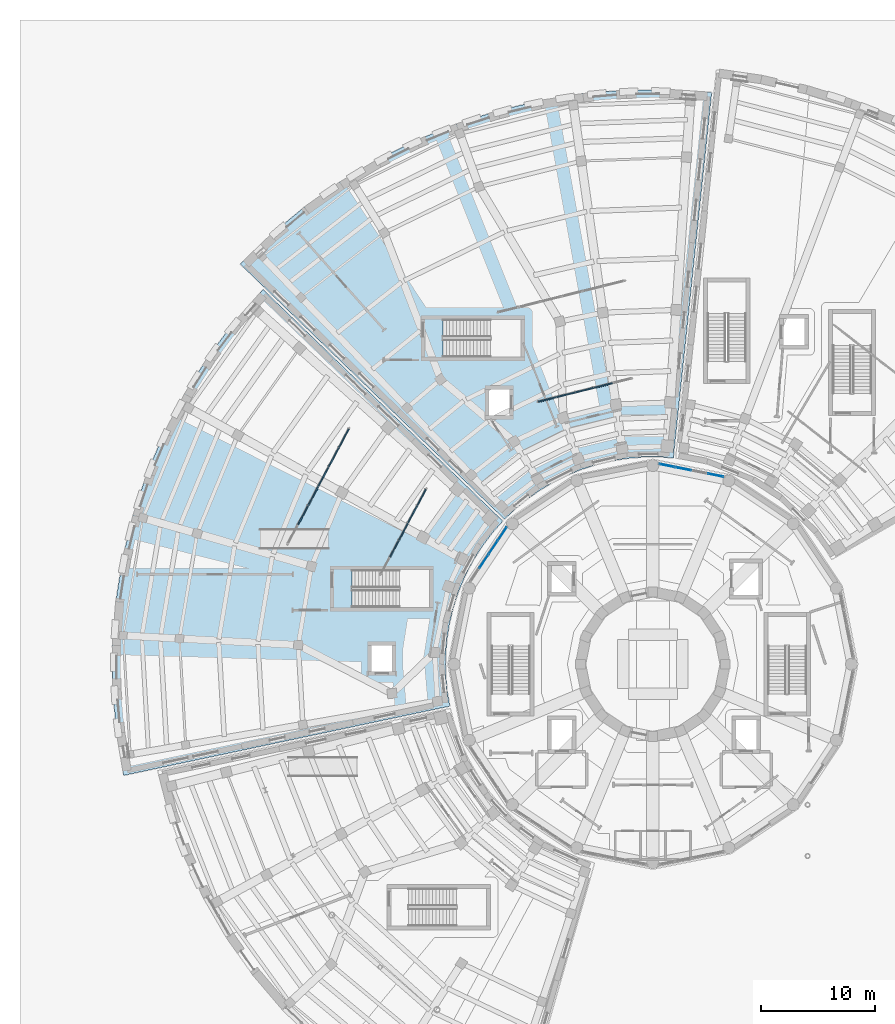
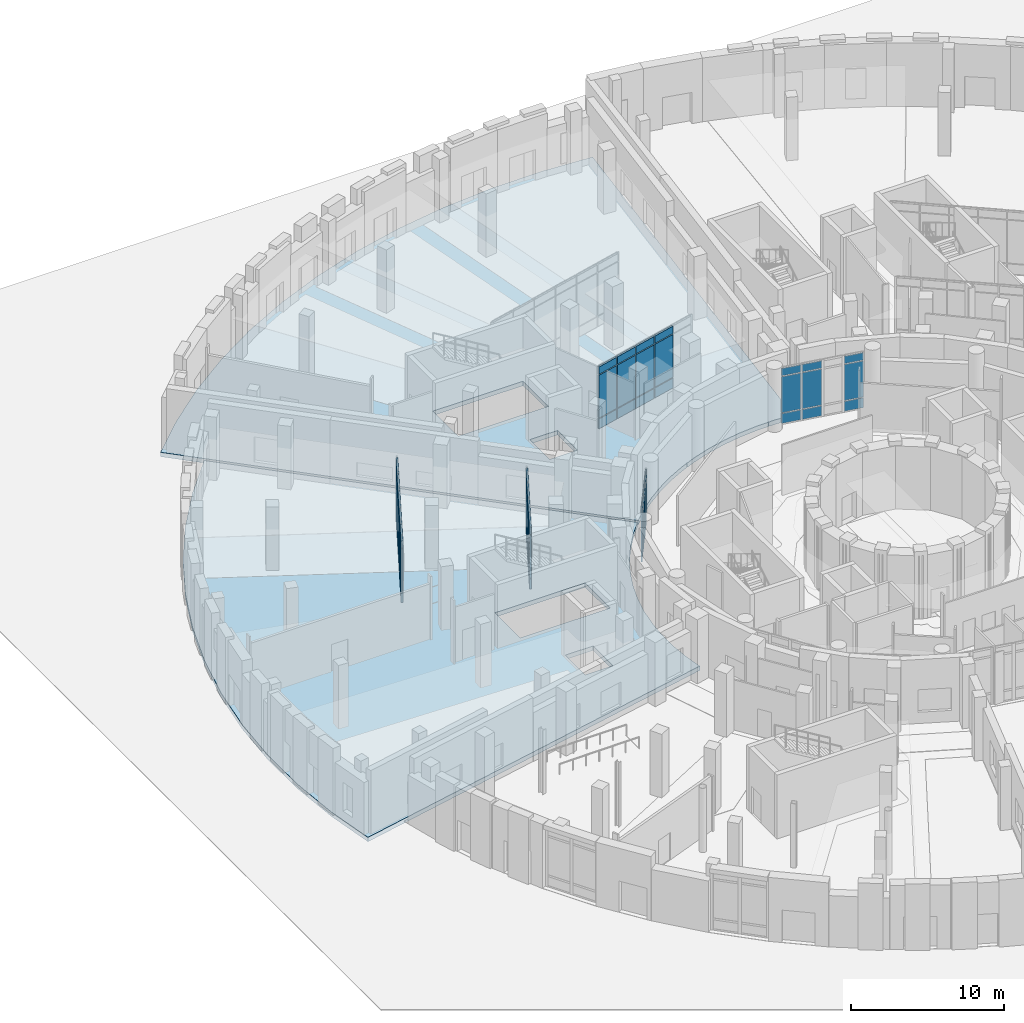
# One storey, part 37 of 74: 57 plates, 2 slabs, 5 elements without a shape of their own.
"""IFC4 building model written with IfcOpenShell, lengths in metres."""

from ifc_helpers import new_model, si_unit, direction, frame, origin, origin_2d, place, context, subcontext, project, spatial, polyline, rectangle, outline, extrude, material, layer, layer_set, type_object, element, aggregate, save


model = new_model("IFC4")

# Units and contexts
model_context = context("Model", 3, precision=1e-05, world=origin(), true_north=direction((0.0, 1.0)))
body_context = subcontext(model_context, "Body", "Model", "MODEL_VIEW")
ifc_project = project(units=[si_unit("LENGTHUNIT", "METRE"), si_unit("AREAUNIT", "SQUARE_METRE"), si_unit("VOLUMEUNIT", "CUBIC_METRE"), si_unit("PLANEANGLEUNIT", "RADIAN"), si_unit("MASSUNIT", "GRAM", prefix="KILO")], contexts=[model_context])

# Site, building, storey
site_placement = place(None, origin())
site = spatial("IfcSite", under=ifc_project, at=site_placement, CompositionType="ELEMENT")
building_placement = place(site_placement, origin())
building = spatial("IfcBuilding", under=site, at=building_placement, Name="Soyqirgoq Riverine Aquarium", CompositionType="ELEMENT")
storey_placement = place(building_placement, origin())
storey = spatial("IfcBuildingStorey", under=building, at=storey_placement, Name="L01", CompositionType="ELEMENT", Elevation=0.0)

# Curtain wall, plates
ifc_material_1 = material(Name="Cast polymethyl methacrylate PMMA Habitat Viewing Glazing", Category="glass")
curtain_wall_type_1 = type_object("IfcCurtainWallType", Name="CW_Interior_TankVitrine", PredefinedType="NOTDEFINED", material=ifc_material_1)
curtain_wall_1_placement = place(storey_placement, origin())
curtain_wall_1 = element("IfcCurtainWall", 1, at=curtain_wall_1_placement, inside=storey, type_object=curtain_wall_type_1, Name="V3 L01 Curtain Wall 147", PredefinedType="NOTDEFINED")
ifc_material_2 = material(Name="Cast polymethyl methacrylate PMMA", Category="glass")
ifc_layer_1 = layer(ifc_material_2, 0.1201171875)
ifc_layer_set_1 = layer_set([ifc_layer_1], Name="Cast polymethyl methacrylate PMMA")
plate_type_1 = type_object("IfcPlateType", Name="CWAcrylicPanel_120", PredefinedType="CURTAIN_PANEL", material=ifc_layer_set_1)
plate_1_placement = place(storey_placement, frame((35.684326171875, 71.653564453125, 0.074951171875), z_axis=(0.0, 0.0, 1.0), x_axis=(-0.469472953199, -0.882946853562, 0.0)))
plate_1 = element("IfcPlate", 2, at=plate_1_placement, type_object=plate_type_1, Name="CW-07 panel 1.1", PredefinedType="CURTAIN_PANEL", context=body_context, shape_type="SweptSolid", body=[
    extrude(rectangle(XDim=1.59033203125, YDim=0.1201171875, at=origin_2d()), origin(), (0.0, 0.0, 1.0), 0.78759765625),
])
plate_2_placement = place(storey_placement, frame((35.684326171875, 71.653564453125, 0.9375), z_axis=(0.0, 0.0, 1.0), x_axis=(-0.469472953199, -0.882946853562, 0.0)))
plate_2 = element("IfcPlate", 3, at=plate_2_placement, type_object=plate_type_1, Name="CW-07 panel 1.2", PredefinedType="CURTAIN_PANEL", context=body_context, shape_type="SweptSolid", body=[
    extrude(rectangle(XDim=1.59033203125, YDim=0.1201171875, at=origin_2d()), origin(), (0.0, 0.0, 1.0), 3.425048828125),
])
plate_3_placement = place(storey_placement, frame((35.684326171875, 71.653564453125, 4.4375), z_axis=(0.0, 0.0, 1.0), x_axis=(-0.469472953199, -0.882946853562, 0.0)))
plate_3 = element("IfcPlate", 4, at=plate_3_placement, type_object=plate_type_1, Name="CW-07 panel 1.3", PredefinedType="CURTAIN_PANEL", context=body_context, shape_type="SweptSolid", body=[
    extrude(rectangle(XDim=1.59033203125, YDim=0.1201171875, at=origin_2d()), origin(), (0.0, 0.0, 1.0), 0.58740234375),
])
plate_4_placement = place(storey_placement, frame((34.890625, 70.1611328125, 0.074951171875), z_axis=(0.0, 0.0, 1.0), x_axis=(-0.469472953199, -0.882946853562, 0.0)))
plate_4 = element("IfcPlate", 5, at=plate_4_placement, type_object=plate_type_1, Name="CW-07 panel 2.1", PredefinedType="CURTAIN_PANEL", context=body_context, shape_type="SweptSolid", body=[
    extrude(rectangle(XDim=1.63037109375, YDim=0.1201171875, at=origin_2d()), origin(), (0.0, 0.0, 1.0), 0.78759765625),
])
plate_5_placement = place(storey_placement, frame((34.890625, 70.1611328125, 0.9375), z_axis=(0.0, 0.0, 1.0), x_axis=(-0.469472953199, -0.882946853562, 0.0)))
plate_5 = element("IfcPlate", 6, at=plate_5_placement, type_object=plate_type_1, Name="CW-07 panel 2.2", PredefinedType="CURTAIN_PANEL", context=body_context, shape_type="SweptSolid", body=[
    extrude(rectangle(XDim=1.63037109375, YDim=0.1201171875, at=origin_2d()), origin(), (0.0, 0.0, 1.0), 3.425048828125),
])
plate_6_placement = place(storey_placement, frame((34.890625, 70.1611328125, 4.4375), z_axis=(0.0, 0.0, 1.0), x_axis=(-0.469472953199, -0.882946853562, 0.0)))
plate_6 = element("IfcPlate", 7, at=plate_6_placement, type_object=plate_type_1, Name="CW-07 panel 2.3", PredefinedType="CURTAIN_PANEL", context=body_context, shape_type="SweptSolid", body=[
    extrude(rectangle(XDim=1.63037109375, YDim=0.1201171875, at=origin_2d()), origin(), (0.0, 0.0, 1.0), 0.58740234375),
])
plate_7_placement = place(storey_placement, frame((34.087646484375, 68.65087890625, 0.074951171875), z_axis=(0.0, 0.0, 1.0), x_axis=(-0.469472953199, -0.882946853562, 0.0)))
plate_7 = element("IfcPlate", 8, at=plate_7_placement, type_object=plate_type_1, Name="CW-07 panel 3.1", PredefinedType="CURTAIN_PANEL", context=body_context, shape_type="SweptSolid", body=[
    extrude(rectangle(XDim=1.63037109375, YDim=0.1201171875, at=origin_2d()), origin(), (0.0, 0.0, 1.0), 0.78759765625),
])
plate_8_placement = place(storey_placement, frame((34.087646484375, 68.65087890625, 0.9375), z_axis=(0.0, 0.0, 1.0), x_axis=(-0.469472953199, -0.882946853562, 0.0)))
plate_8 = element("IfcPlate", 9, at=plate_8_placement, type_object=plate_type_1, Name="CW-07 panel 3.2", PredefinedType="CURTAIN_PANEL", context=body_context, shape_type="SweptSolid", body=[
    extrude(rectangle(XDim=1.63037109375, YDim=0.1201171875, at=origin_2d()), origin(), (0.0, 0.0, 1.0), 3.425048828125),
])
plate_9_placement = place(storey_placement, frame((34.087646484375, 68.65087890625, 4.4375), z_axis=(0.0, 0.0, 1.0), x_axis=(-0.469472953199, -0.882946853562, 0.0)))
plate_9 = element("IfcPlate", 10, at=plate_9_placement, type_object=plate_type_1, Name="CW-07 panel 3.3", PredefinedType="CURTAIN_PANEL", context=body_context, shape_type="SweptSolid", body=[
    extrude(rectangle(XDim=1.63037109375, YDim=0.1201171875, at=origin_2d()), origin(), (0.0, 0.0, 1.0), 0.58740234375),
])
plate_10_placement = place(storey_placement, frame((33.28466796875, 67.140869140625, 0.074951171875), z_axis=(0.0, 0.0, 1.0), x_axis=(-0.469472953199, -0.882946853562, 0.0)))
plate_10 = element("IfcPlate", 11, at=plate_10_placement, type_object=plate_type_1, Name="CW-07 panel 4.1", PredefinedType="CURTAIN_PANEL", context=body_context, shape_type="SweptSolid", body=[
    extrude(rectangle(XDim=1.63037109375, YDim=0.1201171875, at=origin_2d()), origin(), (0.0, 0.0, 1.0), 0.78759765625),
])
plate_11_placement = place(storey_placement, frame((33.28466796875, 67.140869140625, 0.9375), z_axis=(0.0, 0.0, 1.0), x_axis=(-0.469472953199, -0.882946853562, 0.0)))
plate_11 = element("IfcPlate", 12, at=plate_11_placement, type_object=plate_type_1, Name="CW-07 panel 4.2", PredefinedType="CURTAIN_PANEL", context=body_context, shape_type="SweptSolid", body=[
    extrude(rectangle(XDim=1.63037109375, YDim=0.1201171875, at=origin_2d()), origin(), (0.0, 0.0, 1.0), 3.425048828125),
])
plate_12_placement = place(storey_placement, frame((33.28466796875, 67.140869140625, 4.4375), z_axis=(0.0, 0.0, 1.0), x_axis=(-0.469472953199, -0.882946853562, 0.0)))
plate_12 = element("IfcPlate", 13, at=plate_12_placement, type_object=plate_type_1, Name="CW-07 panel 4.3", PredefinedType="CURTAIN_PANEL", context=body_context, shape_type="SweptSolid", body=[
    extrude(rectangle(XDim=1.63037109375, YDim=0.1201171875, at=origin_2d()), origin(), (0.0, 0.0, 1.0), 0.58740234375),
])
aggregate(curtain_wall_1, [plate_1, plate_2, plate_3, plate_4, plate_5, plate_6, plate_7, plate_8, plate_9, plate_10, plate_11, plate_12])

curtain_wall_2_placement = place(storey_placement, origin())
curtain_wall_2 = element("IfcCurtainWall", 14, at=curtain_wall_2_placement, inside=storey, type_object=curtain_wall_type_1, Name="V3 L01 Curtain Wall 148", PredefinedType="NOTDEFINED")
plate_13_placement = place(storey_placement, frame((28.857421875, 76.8544921875, 0.074951171875), z_axis=(0.0, 0.0, 1.0), x_axis=(-0.46947455655, -0.88294600104, 0.0)))
plate_13 = element("IfcPlate", 15, at=plate_13_placement, type_object=plate_type_1, Name="CW-07 panel 1.1", PredefinedType="CURTAIN_PANEL", context=body_context, shape_type="SweptSolid", body=[
    extrude(rectangle(XDim=1.80322265625, YDim=0.1201171875, at=origin_2d()), origin(), (0.0, 0.0, 1.0), 0.78759765625),
])
plate_14_placement = place(storey_placement, frame((28.857421875, 76.8544921875, 0.9375), z_axis=(0.0, 0.0, 1.0), x_axis=(-0.46947455655, -0.88294600104, 0.0)))
plate_14 = element("IfcPlate", 16, at=plate_14_placement, type_object=plate_type_1, Name="CW-07 panel 1.2", PredefinedType="CURTAIN_PANEL", context=body_context, shape_type="SweptSolid", body=[
    extrude(rectangle(XDim=1.80322265625, YDim=0.1201171875, at=origin_2d()), origin(), (0.0, 0.0, 1.0), 3.425048828125),
])
plate_15_placement = place(storey_placement, frame((28.857421875, 76.8544921875, 4.4375), z_axis=(0.0, 0.0, 1.0), x_axis=(-0.46947455655, -0.88294600104, 0.0)))
plate_15 = element("IfcPlate", 17, at=plate_15_placement, type_object=plate_type_1, Name="CW-07 panel 1.3", PredefinedType="CURTAIN_PANEL", context=body_context, shape_type="SweptSolid", body=[
    extrude(rectangle(XDim=1.80322265625, YDim=0.1201171875, at=origin_2d()), origin(), (0.0, 0.0, 1.0), 0.58740234375),
])
plate_16_placement = place(storey_placement, frame((27.964111328125, 75.174072265625, 0.074951171875), z_axis=(0.0, 0.0, 1.0), x_axis=(-0.46947455655, -0.88294600104, 0.0)))
plate_16 = element("IfcPlate", 18, at=plate_16_placement, type_object=plate_type_1, Name="CW-07 panel 2.1", PredefinedType="CURTAIN_PANEL", context=body_context, shape_type="SweptSolid", body=[
    extrude(rectangle(XDim=1.843017578125, YDim=0.1201171875, at=origin_2d()), origin(), (0.0, 0.0, 1.0), 0.78759765625),
])
plate_17_placement = place(storey_placement, frame((27.964111328125, 75.174072265625, 0.9375), z_axis=(0.0, 0.0, 1.0), x_axis=(-0.46947455655, -0.88294600104, 0.0)))
plate_17 = element("IfcPlate", 19, at=plate_17_placement, type_object=plate_type_1, Name="CW-07 panel 2.2", PredefinedType="CURTAIN_PANEL", context=body_context, shape_type="SweptSolid", body=[
    extrude(rectangle(XDim=1.843017578125, YDim=0.1201171875, at=origin_2d()), origin(), (0.0, 0.0, 1.0), 3.425048828125),
])
plate_18_placement = place(storey_placement, frame((27.964111328125, 75.174072265625, 4.4375), z_axis=(0.0, 0.0, 1.0), x_axis=(-0.46947455655, -0.88294600104, 0.0)))
plate_18 = element("IfcPlate", 20, at=plate_18_placement, type_object=plate_type_1, Name="CW-07 panel 2.3", PredefinedType="CURTAIN_PANEL", context=body_context, shape_type="SweptSolid", body=[
    extrude(rectangle(XDim=1.843017578125, YDim=0.1201171875, at=origin_2d()), origin(), (0.0, 0.0, 1.0), 0.58740234375),
])
plate_19_placement = place(storey_placement, frame((27.061279296875, 73.47607421875, 0.074951171875), z_axis=(0.0, 0.0, 1.0), x_axis=(-0.46947455655, -0.88294600104, 0.0)))
plate_19 = element("IfcPlate", 21, at=plate_19_placement, type_object=plate_type_1, Name="CW-07 panel 3.1", PredefinedType="CURTAIN_PANEL", context=body_context, shape_type="SweptSolid", body=[
    extrude(rectangle(XDim=1.843017578125, YDim=0.1201171875, at=origin_2d()), origin(), (0.0, 0.0, 1.0), 0.78759765625),
])
plate_20_placement = place(storey_placement, frame((27.061279296875, 73.47607421875, 0.9375), z_axis=(0.0, 0.0, 1.0), x_axis=(-0.46947455655, -0.88294600104, 0.0)))
plate_20 = element("IfcPlate", 22, at=plate_20_placement, type_object=plate_type_1, Name="CW-07 panel 3.2", PredefinedType="CURTAIN_PANEL", context=body_context, shape_type="SweptSolid", body=[
    extrude(rectangle(XDim=1.843017578125, YDim=0.1201171875, at=origin_2d()), origin(), (0.0, 0.0, 1.0), 3.425048828125),
])
plate_21_placement = place(storey_placement, frame((27.061279296875, 73.47607421875, 4.4375), z_axis=(0.0, 0.0, 1.0), x_axis=(-0.46947455655, -0.88294600104, 0.0)))
plate_21 = element("IfcPlate", 23, at=plate_21_placement, type_object=plate_type_1, Name="CW-07 panel 3.3", PredefinedType="CURTAIN_PANEL", context=body_context, shape_type="SweptSolid", body=[
    extrude(rectangle(XDim=1.843017578125, YDim=0.1201171875, at=origin_2d()), origin(), (0.0, 0.0, 1.0), 0.58740234375),
])
plate_22_placement = place(storey_placement, frame((26.158203125, 71.778076171875, 0.074951171875), z_axis=(0.0, 0.0, 1.0), x_axis=(-0.46947455655, -0.88294600104, 0.0)))
plate_22 = element("IfcPlate", 24, at=plate_22_placement, type_object=plate_type_1, Name="CW-07 panel 4.1", PredefinedType="CURTAIN_PANEL", context=body_context, shape_type="SweptSolid", body=[
    extrude(rectangle(XDim=1.843017578125, YDim=0.1201171875, at=origin_2d()), origin(), (0.0, 0.0, 1.0), 0.78759765625),
])
plate_23_placement = place(storey_placement, frame((26.158203125, 71.778076171875, 0.9375), z_axis=(0.0, 0.0, 1.0), x_axis=(-0.46947455655, -0.88294600104, 0.0)))
plate_23 = element("IfcPlate", 25, at=plate_23_placement, type_object=plate_type_1, Name="CW-07 panel 4.2", PredefinedType="CURTAIN_PANEL", context=body_context, shape_type="SweptSolid", body=[
    extrude(rectangle(XDim=1.843017578125, YDim=0.1201171875, at=origin_2d()), origin(), (0.0, 0.0, 1.0), 3.425048828125),
])
plate_24_placement = place(storey_placement, frame((26.158203125, 71.778076171875, 4.4375), z_axis=(0.0, 0.0, 1.0), x_axis=(-0.46947455655, -0.88294600104, 0.0)))
plate_24 = element("IfcPlate", 26, at=plate_24_placement, type_object=plate_type_1, Name="CW-07 panel 4.3", PredefinedType="CURTAIN_PANEL", context=body_context, shape_type="SweptSolid", body=[
    extrude(rectangle(XDim=1.843017578125, YDim=0.1201171875, at=origin_2d()), origin(), (0.0, 0.0, 1.0), 0.58740234375),
])
plate_25_placement = place(storey_placement, frame((25.25537109375, 70.080078125, 0.074951171875), z_axis=(0.0, 0.0, 1.0), x_axis=(-0.46947455655, -0.88294600104, 0.0)))
plate_25 = element("IfcPlate", 27, at=plate_25_placement, type_object=plate_type_1, Name="CW-07 panel 5.1", PredefinedType="CURTAIN_PANEL", context=body_context, shape_type="SweptSolid", body=[
    extrude(rectangle(XDim=1.843017578125, YDim=0.1201171875, at=origin_2d()), origin(), (0.0, 0.0, 1.0), 0.78759765625),
])
plate_26_placement = place(storey_placement, frame((25.25537109375, 70.080078125, 0.9375), z_axis=(0.0, 0.0, 1.0), x_axis=(-0.46947455655, -0.88294600104, 0.0)))
plate_26 = element("IfcPlate", 28, at=plate_26_placement, type_object=plate_type_1, Name="CW-07 panel 5.2", PredefinedType="CURTAIN_PANEL", context=body_context, shape_type="SweptSolid", body=[
    extrude(rectangle(XDim=1.843017578125, YDim=0.1201171875, at=origin_2d()), origin(), (0.0, 0.0, 1.0), 3.425048828125),
])
plate_27_placement = place(storey_placement, frame((25.25537109375, 70.080078125, 4.4375), z_axis=(0.0, 0.0, 1.0), x_axis=(-0.46947455655, -0.88294600104, 0.0)))
plate_27 = element("IfcPlate", 29, at=plate_27_placement, type_object=plate_type_1, Name="CW-07 panel 5.3", PredefinedType="CURTAIN_PANEL", context=body_context, shape_type="SweptSolid", body=[
    extrude(rectangle(XDim=1.843017578125, YDim=0.1201171875, at=origin_2d()), origin(), (0.0, 0.0, 1.0), 0.58740234375),
])
aggregate(curtain_wall_2, [plate_13, plate_14, plate_15, plate_16, plate_17, plate_18, plate_19, plate_20, plate_21, plate_22, plate_23, plate_24, plate_25, plate_26, plate_27])

curtain_wall_3_placement = place(storey_placement, origin())
curtain_wall_3 = element("IfcCurtainWall", 30, at=curtain_wall_3_placement, inside=storey, type_object=curtain_wall_type_1, Name="V4 L01 Curtain Wall 151", PredefinedType="NOTDEFINED")
plate_28_placement = place(storey_placement, frame((51.65576171875, 81.49365234375, 0.074951171875), z_axis=(0.0, 0.0, 1.0), x_axis=(-0.970295694292, -0.241922023881, 0.0)))
plate_28 = element("IfcPlate", 31, at=plate_28_placement, type_object=plate_type_1, Name="CW-07 panel 2.1", PredefinedType="CURTAIN_PANEL", context=body_context, shape_type="SweptSolid", body=[
    extrude(rectangle(XDim=1.63037109375, YDim=0.1201171875, at=origin_2d()), origin(), (0.0, 0.0, 1.0), 0.78759765625),
])
plate_29_placement = place(storey_placement, frame((51.65576171875, 81.49365234375, 0.9375), z_axis=(0.0, 0.0, 1.0), x_axis=(-0.970295694292, -0.241922023881, 0.0)))
plate_29 = element("IfcPlate", 32, at=plate_29_placement, type_object=plate_type_1, Name="CW-07 panel 2.2", PredefinedType="CURTAIN_PANEL", context=body_context, shape_type="SweptSolid", body=[
    extrude(rectangle(XDim=1.63037109375, YDim=0.1201171875, at=origin_2d()), origin(), (0.0, 0.0, 1.0), 3.425048828125),
])
plate_30_placement = place(storey_placement, frame((51.65576171875, 81.49365234375, 4.4375), z_axis=(0.0, 0.0, 1.0), x_axis=(-0.970295694292, -0.241922023881, 0.0)))
plate_30 = element("IfcPlate", 33, at=plate_30_placement, type_object=plate_type_1, Name="CW-07 panel 2.3", PredefinedType="CURTAIN_PANEL", context=body_context, shape_type="SweptSolid", body=[
    extrude(rectangle(XDim=1.63037109375, YDim=0.1201171875, at=origin_2d()), origin(), (0.0, 0.0, 1.0), 0.58740234375),
])
plate_31_placement = place(storey_placement, frame((49.99609375, 81.079833984375, 0.074951171875), z_axis=(0.0, 0.0, 1.0), x_axis=(-0.970295694292, -0.241922023881, 0.0)))
plate_31 = element("IfcPlate", 34, at=plate_31_placement, type_object=plate_type_1, Name="CW-07 panel 3.1", PredefinedType="CURTAIN_PANEL", context=body_context, shape_type="SweptSolid", body=[
    extrude(rectangle(XDim=1.63037109375, YDim=0.1201171875, at=origin_2d()), origin(), (0.0, 0.0, 1.0), 0.78759765625),
])
plate_32_placement = place(storey_placement, frame((49.99609375, 81.079833984375, 0.9375), z_axis=(0.0, 0.0, 1.0), x_axis=(-0.970295694292, -0.241922023881, 0.0)))
plate_32 = element("IfcPlate", 35, at=plate_32_placement, type_object=plate_type_1, Name="CW-07 panel 3.2", PredefinedType="CURTAIN_PANEL", context=body_context, shape_type="SweptSolid", body=[
    extrude(rectangle(XDim=1.63037109375, YDim=0.1201171875, at=origin_2d()), origin(), (0.0, 0.0, 1.0), 3.425048828125),
])
plate_33_placement = place(storey_placement, frame((49.99609375, 81.079833984375, 4.4375), z_axis=(0.0, 0.0, 1.0), x_axis=(-0.970295694292, -0.241922023881, 0.0)))
plate_33 = element("IfcPlate", 36, at=plate_33_placement, type_object=plate_type_1, Name="CW-07 panel 3.3", PredefinedType="CURTAIN_PANEL", context=body_context, shape_type="SweptSolid", body=[
    extrude(rectangle(XDim=1.63037109375, YDim=0.1201171875, at=origin_2d()), origin(), (0.0, 0.0, 1.0), 0.58740234375),
])
plate_34_placement = place(storey_placement, frame((48.336669921875, 80.666259765625, 0.074951171875), z_axis=(0.0, 0.0, 1.0), x_axis=(-0.970295694292, -0.241922023881, 0.0)))
plate_34 = element("IfcPlate", 37, at=plate_34_placement, type_object=plate_type_1, Name="CW-07 panel 4.1", PredefinedType="CURTAIN_PANEL", context=body_context, shape_type="SweptSolid", body=[
    extrude(rectangle(XDim=1.63037109375, YDim=0.1201171875, at=origin_2d()), origin(), (0.0, 0.0, 1.0), 0.78759765625),
])
plate_35_placement = place(storey_placement, frame((48.336669921875, 80.666259765625, 0.9375), z_axis=(0.0, 0.0, 1.0), x_axis=(-0.970295694292, -0.241922023881, 0.0)))
plate_35 = element("IfcPlate", 38, at=plate_35_placement, type_object=plate_type_1, Name="CW-07 panel 4.2", PredefinedType="CURTAIN_PANEL", context=body_context, shape_type="SweptSolid", body=[
    extrude(rectangle(XDim=1.63037109375, YDim=0.1201171875, at=origin_2d()), origin(), (0.0, 0.0, 1.0), 3.425048828125),
])
plate_36_placement = place(storey_placement, frame((48.336669921875, 80.666259765625, 4.4375), z_axis=(0.0, 0.0, 1.0), x_axis=(-0.970295694292, -0.241922023881, 0.0)))
plate_36 = element("IfcPlate", 39, at=plate_36_placement, type_object=plate_type_1, Name="CW-07 panel 4.3", PredefinedType="CURTAIN_PANEL", context=body_context, shape_type="SweptSolid", body=[
    extrude(rectangle(XDim=1.63037109375, YDim=0.1201171875, at=origin_2d()), origin(), (0.0, 0.0, 1.0), 0.58740234375),
])
plate_37_placement = place(storey_placement, frame((46.6962890625, 80.25732421875, 0.074951171875), z_axis=(0.0, 0.0, 1.0), x_axis=(-0.970295694292, -0.241922023881, 0.0)))
plate_37 = element("IfcPlate", 40, at=plate_37_placement, type_object=plate_type_1, Name="CW-07 panel 5.1", PredefinedType="CURTAIN_PANEL", context=body_context, shape_type="SweptSolid", body=[
    extrude(rectangle(XDim=1.59033203125, YDim=0.1201171875, at=origin_2d()), origin(), (0.0, 0.0, 1.0), 0.78759765625),
])
plate_38_placement = place(storey_placement, frame((46.6962890625, 80.25732421875, 0.9375), z_axis=(0.0, 0.0, 1.0), x_axis=(-0.970295694292, -0.241922023881, 0.0)))
plate_38 = element("IfcPlate", 41, at=plate_38_placement, type_object=plate_type_1, Name="CW-07 panel 5.2", PredefinedType="CURTAIN_PANEL", context=body_context, shape_type="SweptSolid", body=[
    extrude(rectangle(XDim=1.59033203125, YDim=0.1201171875, at=origin_2d()), origin(), (0.0, 0.0, 1.0), 3.425048828125),
])
plate_39_placement = place(storey_placement, frame((46.6962890625, 80.25732421875, 4.4375), z_axis=(0.0, 0.0, 1.0), x_axis=(-0.970295694292, -0.241922023881, 0.0)))
plate_39 = element("IfcPlate", 42, at=plate_39_placement, type_object=plate_type_1, Name="CW-07 panel 5.3", PredefinedType="CURTAIN_PANEL", context=body_context, shape_type="SweptSolid", body=[
    extrude(rectangle(XDim=1.59033203125, YDim=0.1201171875, at=origin_2d()), origin(), (0.0, 0.0, 1.0), 0.58740234375),
])
aggregate(curtain_wall_3, [plate_28, plate_29, plate_30, plate_31, plate_32, plate_33, plate_34, plate_35, plate_36, plate_37, plate_38, plate_39])

ifc_material_3 = material(Name="Anodised aluminium thermally broken triple low-E glazing", Category="aluminium")
curtain_wall_type_2 = type_object("IfcCurtainWallType", Name="CW_DrumGallery_Unitised", PredefinedType="NOTDEFINED", material=ifc_material_3)
curtain_wall_4_placement = place(storey_placement, origin())
curtain_wall_4 = element("IfcCurtainWall", 43, at=curtain_wall_4_placement, inside=storey, type_object=curtain_wall_type_2, Name="V1 L01 Curtain Wall 023", PredefinedType="NOTDEFINED")
ifc_material_4 = material(Name="Triple insulated laminated low-E glass", Category="glass")
ifc_layer_2 = layer(ifc_material_4, 0.0458984375)
ifc_layer_set_2 = layer_set([ifc_layer_2], Name="Triple insulated laminated low-E glass")
plate_type_2 = type_object("IfcPlateType", Name="CWGlazedPanel_46", PredefinedType="CURTAIN_PANEL", material=ifc_layer_set_2)
plate_40_placement = place(storey_placement, frame((42.7705078125, 68.44775390625, 0.074951171875), z_axis=(0.0, 0.0, 1.0), x_axis=(-0.555573730262, -0.831467275509, 0.0)))
plate_40 = element("IfcPlate", 44, at=plate_40_placement, type_object=plate_type_2, Name="CW-01 panel 1.1", PredefinedType="CURTAIN_PANEL", context=body_context, shape_type="SweptSolid", body=[
    extrude(rectangle(XDim=1.339111328125, YDim=0.0458984375, at=origin_2d()), origin(), (0.0, 0.0, 1.0), 0.78759765625),
])
plate_41_placement = place(storey_placement, frame((42.7705078125, 68.44775390625, 0.9375), z_axis=(0.0, 0.0, 1.0), x_axis=(-0.555573730262, -0.831467275509, 0.0)))
plate_41 = element("IfcPlate", 45, at=plate_41_placement, type_object=plate_type_2, Name="CW-01 panel 1.2", PredefinedType="CURTAIN_PANEL", context=body_context, shape_type="SweptSolid", body=[
    extrude(rectangle(XDim=1.339111328125, YDim=0.0458984375, at=origin_2d()), origin(), (0.0, 0.0, 1.0), 2.875),
])
plate_42_placement = place(storey_placement, frame((42.7705078125, 68.44775390625, 3.887451171875), z_axis=(0.0, 0.0, 1.0), x_axis=(-0.555573730262, -0.831467275509, 0.0)))
plate_42 = element("IfcPlate", 46, at=plate_42_placement, type_object=plate_type_2, Name="CW-01 panel 1.3", PredefinedType="CURTAIN_PANEL", context=body_context, shape_type="SweptSolid", body=[
    extrude(rectangle(XDim=1.339111328125, YDim=0.0458984375, at=origin_2d()), origin(), (0.0, 0.0, 1.0), 0.58740234375),
])
plate_43_placement = place(storey_placement, frame((41.970947265625, 67.251220703125, 0.074951171875), z_axis=(0.0, 0.0, 1.0), x_axis=(-0.555573730262, -0.831467275509, 0.0)))
plate_43 = element("IfcPlate", 47, at=plate_43_placement, type_object=plate_type_2, Name="CW-01 panel 2.1", PredefinedType="CURTAIN_PANEL", context=body_context, shape_type="SweptSolid", body=[
    extrude(rectangle(XDim=1.379150390625, YDim=0.0458984375, at=origin_2d()), origin(), (0.0, 0.0, 1.0), 0.78759765625),
])
plate_44_placement = place(storey_placement, frame((41.970947265625, 67.251220703125, 0.9375), z_axis=(0.0, 0.0, 1.0), x_axis=(-0.555573730262, -0.831467275509, 0.0)))
plate_44 = element("IfcPlate", 48, at=plate_44_placement, type_object=plate_type_2, Name="CW-01 panel 2.2", PredefinedType="CURTAIN_PANEL", context=body_context, shape_type="SweptSolid", body=[
    extrude(rectangle(XDim=1.379150390625, YDim=0.0458984375, at=origin_2d()), origin(), (0.0, 0.0, 1.0), 2.875),
])
plate_45_placement = place(storey_placement, frame((41.970947265625, 67.251220703125, 3.887451171875), z_axis=(0.0, 0.0, 1.0), x_axis=(-0.555573730262, -0.831467275509, 0.0)))
plate_45 = element("IfcPlate", 49, at=plate_45_placement, type_object=plate_type_2, Name="CW-01 panel 2.3", PredefinedType="CURTAIN_PANEL", context=body_context, shape_type="SweptSolid", body=[
    extrude(rectangle(XDim=1.379150390625, YDim=0.0458984375, at=origin_2d()), origin(), (0.0, 0.0, 1.0), 0.58740234375),
])
plate_46_placement = place(storey_placement, frame((41.160400390625, 66.0380859375, 0.074951171875), z_axis=(0.0, 0.0, 1.0), x_axis=(-0.555573730262, -0.831467275509, 0.0)))
plate_46 = element("IfcPlate", 50, at=plate_46_placement, type_object=plate_type_2, Name="CW-01 panel 3.1", PredefinedType="CURTAIN_PANEL", context=body_context, shape_type="SweptSolid", body=[
    extrude(rectangle(XDim=1.379150390625, YDim=0.0458984375, at=origin_2d()), origin(), (0.0, 0.0, 1.0), 0.78759765625),
])
plate_47_placement = place(storey_placement, frame((41.160400390625, 66.0380859375, 0.9375), z_axis=(0.0, 0.0, 1.0), x_axis=(-0.555573730262, -0.831467275509, 0.0)))
plate_47 = element("IfcPlate", 51, at=plate_47_placement, type_object=plate_type_2, Name="CW-01 panel 3.2", PredefinedType="CURTAIN_PANEL", context=body_context, shape_type="SweptSolid", body=[
    extrude(rectangle(XDim=1.379150390625, YDim=0.0458984375, at=origin_2d()), origin(), (0.0, 0.0, 1.0), 2.875),
])
plate_48_placement = place(storey_placement, frame((41.160400390625, 66.0380859375, 3.887451171875), z_axis=(0.0, 0.0, 1.0), x_axis=(-0.555573730262, -0.831467275509, 0.0)))
plate_48 = element("IfcPlate", 52, at=plate_48_placement, type_object=plate_type_2, Name="CW-01 panel 3.3", PredefinedType="CURTAIN_PANEL", context=body_context, shape_type="SweptSolid", body=[
    extrude(rectangle(XDim=1.379150390625, YDim=0.0458984375, at=origin_2d()), origin(), (0.0, 0.0, 1.0), 0.58740234375),
])
aggregate(curtain_wall_4, [plate_40, plate_41, plate_42, plate_43, plate_44, plate_45, plate_46, plate_47, plate_48])

curtain_wall_5_placement = place(storey_placement, origin())
curtain_wall_5 = element("IfcCurtainWall", 53, at=curtain_wall_5_placement, inside=storey, type_object=curtain_wall_type_2, Name="V1 L01 Curtain Wall 012", PredefinedType="NOTDEFINED")
ifc_material_5 = material(Name="Insulated shadow-box aluminium spandrel panel", Category="aluminium")
ifc_layer_3 = layer(ifc_material_5, 0.06005859375)
ifc_layer_set_3 = layer_set([ifc_layer_3], Name="Insulated shadow-box aluminium spandrel panel")
plate_type_3 = type_object("IfcPlateType", Name="CWSpandrelPanel_60", PredefinedType="CURTAIN_PANEL", material=ifc_layer_set_3)
plate_49_placement = place(storey_placement, frame((61.513671875, 73.603271484375, 0.074951171875), z_axis=(0.0, 0.0, 1.0), x_axis=(-0.980788371338, 0.195074782196, 0.0)))
plate_49 = element("IfcPlate", 54, at=plate_49_placement, type_object=plate_type_3, Name="CW-01 panel 1.1", PredefinedType="CURTAIN_PANEL", context=body_context, shape_type="SweptSolid", body=[
    extrude(rectangle(XDim=1.339111328125, YDim=0.06005859375, at=origin_2d()), origin(), (0.0, 0.0, 1.0), 0.78759765625),
])
plate_50_placement = place(storey_placement, frame((61.513671875, 73.603271484375, 0.9375), z_axis=(0.0, 0.0, 1.0), x_axis=(-0.980788371338, 0.195074782196, 0.0)))
plate_50 = element("IfcPlate", 55, at=plate_50_placement, type_object=plate_type_3, Name="CW-01 panel 1.2", PredefinedType="CURTAIN_PANEL", context=body_context, shape_type="SweptSolid", body=[
    extrude(rectangle(XDim=1.339111328125, YDim=0.06005859375, at=origin_2d()), origin(), (0.0, 0.0, 1.0), 2.875),
])
plate_51_placement = place(storey_placement, frame((61.513671875, 73.603271484375, 3.887451171875), z_axis=(0.0, 0.0, 1.0), x_axis=(-0.980788371338, 0.195074782196, 0.0)))
plate_51 = element("IfcPlate", 56, at=plate_51_placement, type_object=plate_type_3, Name="CW-01 panel 1.3", PredefinedType="CURTAIN_PANEL", context=body_context, shape_type="SweptSolid", body=[
    extrude(rectangle(XDim=1.339111328125, YDim=0.06005859375, at=origin_2d()), origin(), (0.0, 0.0, 1.0), 0.58740234375),
])
plate_52_placement = place(storey_placement, frame((58.671142578125, 74.168701171875, 0.074951171875), z_axis=(0.0, 0.0, 1.0), x_axis=(-0.980788371338, 0.195074782196, 0.0)))
plate_52 = element("IfcPlate", 57, at=plate_52_placement, type_object=plate_type_3, Name="CW-01 panel 3.1", PredefinedType="CURTAIN_PANEL", context=body_context, shape_type="SweptSolid", body=[
    extrude(rectangle(XDim=1.379150390625, YDim=0.06005859375, at=origin_2d()), origin(), (0.0, 0.0, 1.0), 0.78759765625),
])
plate_53_placement = place(storey_placement, frame((58.671142578125, 74.168701171875, 0.9375), z_axis=(0.0, 0.0, 1.0), x_axis=(-0.980788371338, 0.195074782196, 0.0)))
plate_53 = element("IfcPlate", 58, at=plate_53_placement, type_object=plate_type_3, Name="CW-01 panel 3.2", PredefinedType="CURTAIN_PANEL", context=body_context, shape_type="SweptSolid", body=[
    extrude(rectangle(XDim=1.379150390625, YDim=0.06005859375, at=origin_2d()), origin(), (0.0, 0.0, 1.0), 2.875),
])
plate_54_placement = place(storey_placement, frame((58.671142578125, 74.168701171875, 3.887451171875), z_axis=(0.0, 0.0, 1.0), x_axis=(-0.980788371338, 0.195074782196, 0.0)))
plate_54 = element("IfcPlate", 59, at=plate_54_placement, type_object=plate_type_3, Name="CW-01 panel 3.3", PredefinedType="CURTAIN_PANEL", context=body_context, shape_type="SweptSolid", body=[
    extrude(rectangle(XDim=1.379150390625, YDim=0.06005859375, at=origin_2d()), origin(), (0.0, 0.0, 1.0), 0.58740234375),
])
plate_55_placement = place(storey_placement, frame((57.259765625, 74.449462890625, 0.074951171875), z_axis=(0.0, 0.0, 1.0), x_axis=(-0.980788371338, 0.195074782196, 0.0)))
plate_55 = element("IfcPlate", 60, at=plate_55_placement, type_object=plate_type_3, Name="CW-01 panel 4.1", PredefinedType="CURTAIN_PANEL", context=body_context, shape_type="SweptSolid", body=[
    extrude(rectangle(XDim=1.339111328125, YDim=0.06005859375, at=origin_2d()), origin(), (0.0, 0.0, 1.0), 0.78759765625),
])
plate_56_placement = place(storey_placement, frame((57.259765625, 74.449462890625, 0.9375), z_axis=(0.0, 0.0, 1.0), x_axis=(-0.980788371338, 0.195074782196, 0.0)))
plate_56 = element("IfcPlate", 61, at=plate_56_placement, type_object=plate_type_3, Name="CW-01 panel 4.2", PredefinedType="CURTAIN_PANEL", context=body_context, shape_type="SweptSolid", body=[
    extrude(rectangle(XDim=1.339111328125, YDim=0.06005859375, at=origin_2d()), origin(), (0.0, 0.0, 1.0), 2.875),
])
plate_57_placement = place(storey_placement, frame((57.259765625, 74.449462890625, 3.887451171875), z_axis=(0.0, 0.0, 1.0), x_axis=(-0.980788371338, 0.195074782196, 0.0)))
plate_57 = element("IfcPlate", 62, at=plate_57_placement, type_object=plate_type_3, Name="CW-01 panel 4.3", PredefinedType="CURTAIN_PANEL", context=body_context, shape_type="SweptSolid", body=[
    extrude(rectangle(XDim=1.339111328125, YDim=0.06005859375, at=origin_2d()), origin(), (0.0, 0.0, 1.0), 0.58740234375),
])
aggregate(curtain_wall_5, [plate_49, plate_50, plate_51, plate_52, plate_53, plate_54, plate_55, plate_56, plate_57])

# Slabs
ifc_material_6 = material(Name="Concrete C40/50", Category="concrete")
ifc_layer_4 = layer(ifc_material_6, 0.35009765625)
ifc_layer_set_4 = layer_set([ifc_layer_4], Name="Concrete C40/50")
slab_type = type_object("IfcSlabType", Name="FloorSlab_350_C40", PredefinedType="FLOOR", material=ifc_layer_set_4)
slab_1_placement = place(storey_placement, frame((0.0, 0.0, -0.35009765625)))
element("IfcSlab", 63, at=slab_1_placement, inside=storey, type_object=slab_type, Name="V3 L01 Suspended Floor Slab", PredefinedType="FLOOR", context=body_context, shape_type="SweptSolid", body=[
    extrude(outline(polyline([(41.014404296875, 67.363525390625), (41.9072265625, 68.54833984375), (42.8203125, 69.574462890625), (21.75830078125, 89.9140625), (19.260009765625, 87.10693359375), (16.932373046875, 84.01806640625), (14.86376953125, 80.75), (13.06787109375, 77.324462890625), (11.556640625, 73.76416015625), (10.340087890625, 70.0927734375), (9.42626953125, 66.33447265625), (8.8212890625, 62.514404296875), (8.52880859375, 58.65771484375), (8.551513671875, 54.7900390625), (8.888427734375, 50.93701171875), (9.51953125, 47.232666015625), (38.15966796875, 53.3203125), (37.928955078125, 54.67431640625), (37.7998046875, 56.15234375), (37.79541015625, 56.901123046875), (37.775634765625, 57.0), (37.794189453125, 57.09326171875), (37.791015625, 57.635986328125), (37.9033203125, 59.115234375), (38.13525390625, 60.58056640625), (38.48583984375, 62.022216796875), (38.952392578125, 63.430419921875), (39.14501953125, 63.884033203125), (39.1630859375, 63.97412109375), (39.21875, 64.0576171875), (39.531982421875, 64.7958984375), (40.220947265625, 66.110107421875), (41.014404296875, 67.363525390625)]), holes=[polyline([(29.574951171875, 62.0), (36.39990234375, 62.0), (36.39990234375, 65.300048828125), (29.574951171875, 65.300048828125), (29.574951171875, 62.0)]), polyline([(31.14990234375, 56.199951171875), (33.25, 56.199951171875), (33.25, 58.800048828125), (31.14990234375, 58.800048828125), (31.14990234375, 56.199951171875)])]), origin(), (0.0, 0.0, 1.0), 0.35009765625),
])
slab_2_placement = place(storey_placement, frame((0.0, 0.0, -0.35009765625)))
element("IfcSlab", 64, at=slab_2_placement, inside=storey, type_object=slab_type, Name="V4 L01 Suspended Floor Slab", PredefinedType="FLOOR", context=body_context, shape_type="SweptSolid", body=[
    extrude(outline(polyline([(55.15234375, 75.2001953125), (55.91259765625, 75.206787109375), (56.0, 75.224365234375), (56.080078125, 75.20849609375), (56.52978515625, 75.21240234375), (57.794677734375, 75.127685546875), (61.1689453125, 107.230712890625), (57.46875, 107.478515625), (53.650390625, 107.4453125), (49.845703125, 107.12353515625), (46.075927734375, 106.515380859375), (42.363037109375, 105.623779296875), (38.72802734375, 104.45458984375), (35.19189453125, 103.013916015625), (31.7744140625, 101.31005859375), (28.49560546875, 99.352783203125), (25.374267578125, 97.153564453125), (22.427734375, 94.724853515625), (19.752685546875, 92.156494140625), (42.972900390625, 69.73291015625), (43.07861328125, 69.834228515625), (43.113525390625, 69.886474609375), (43.177490234375, 69.92919921875), (43.887451171875, 70.61083984375), (44.950439453125, 71.487060546875), (46.07666015625, 72.280517578125), (47.259521484375, 72.98681640625), (48.492431640625, 73.601318359375), (48.95556640625, 73.7900390625), (49.02587890625, 73.8369140625), (49.114013671875, 73.8544921875), (49.768310546875, 74.12109375), (51.079833984375, 74.543212890625), (52.41943359375, 74.86474609375), (53.779541015625, 75.084228515625), (55.15234375, 75.2001953125)]), holes=[polyline([(37.574951171875, 84.0), (44.39990234375, 84.0), (44.39990234375, 87.300048828125), (37.574951171875, 87.300048828125), (37.574951171875, 84.0)]), polyline([(41.449951171875, 78.699951171875), (43.550048828125, 78.699951171875), (43.550048828125, 81.300048828125), (41.449951171875, 81.300048828125), (41.449951171875, 78.699951171875)])]), origin(), (0.0, 0.0, 1.0), 0.35009765625),
])

save(model, "model.ifc")
